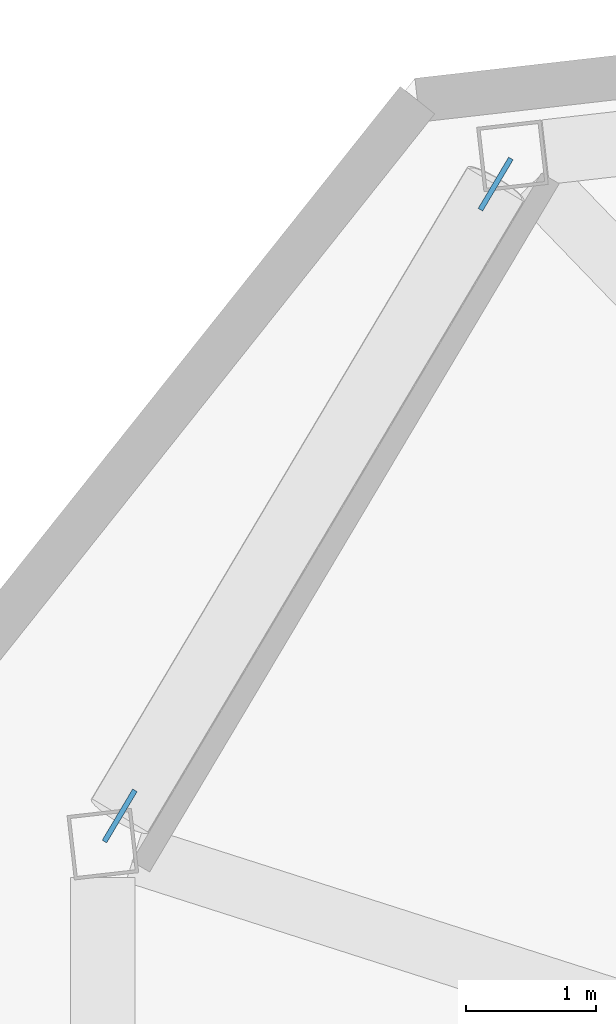
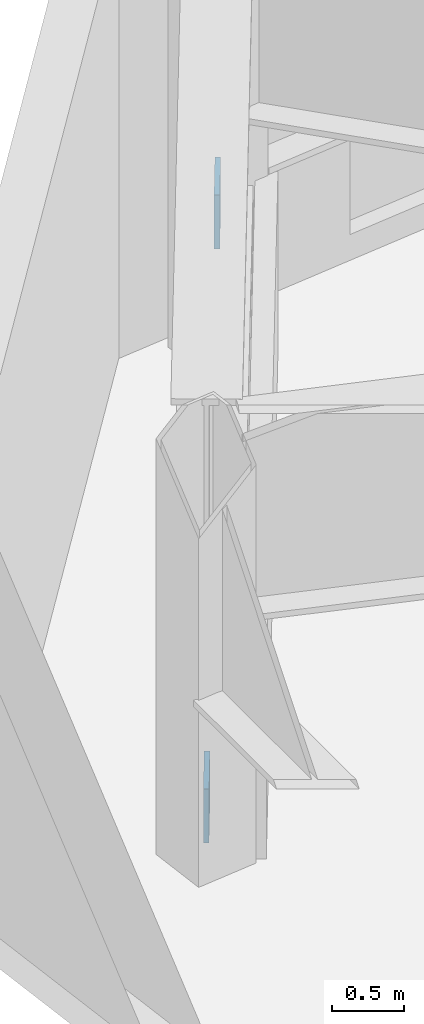
# One storey, part 17 of 20: 2 discrete accessories.
"""IFC4 building model written with IfcOpenShell, lengths in metres."""

from ifc_helpers import new_model, si_unit, direction, frame, origin, origin_2d, place, context, subcontext, project, spatial, rectangle, extrude, material, type_object, element, save


model = new_model("IFC4")

# Units and contexts
model_context = context("Model", 3, precision=1e-05, world=origin(), true_north=direction((0.0, 1.0)))
body_context = subcontext(model_context, "Body", "Model", "MODEL_VIEW")
ifc_project = project(units=[si_unit("LENGTHUNIT", "METRE"), si_unit("AREAUNIT", "SQUARE_METRE"), si_unit("VOLUMEUNIT", "CUBIC_METRE"), si_unit("PLANEANGLEUNIT", "RADIAN"), si_unit("MASSUNIT", "GRAM", prefix="KILO")], contexts=[model_context])

# Site, building, storey
site_placement = place(None, origin())
site = spatial("IfcSite", under=ifc_project, at=site_placement, CompositionType="ELEMENT")
building_placement = place(site_placement, origin())
building = spatial("IfcBuilding", under=site, at=building_placement, Name="Tavrogorsk Clinical Tower", CompositionType="ELEMENT")
storey_placement = place(building_placement, frame((0.0, 0.0, 214.199951171875)))
storey = spatial("IfcBuildingStorey", under=building, at=storey_placement, Name="L49", CompositionType="ELEMENT", Elevation=214.199951171875)

# Discrete accessories
ifc_material = material(Name="Structural steel S440", Category="steel")
discrete_accessory_type = type_object("IfcDiscreteAccessoryType", Name="GussetPlateBracket_25", PredefinedType="BRACKET", material=ifc_material)
for number, where, z_axis, x_axis, name in (
    (1, (-36.34033203125, 17.250732421875, 0.118896484375), (0.0, 0.0, 1.0), (0.511443073004, 0.859317160934, 0.0), "L49 Brace Gusset Plate EXOCRN-L49-3-A"),
    (2, (-33.438232421875, 22.127685546875, 1.211181640625), (0.0, 0.0, 1.0), (0.511443073004, 0.859317160934, 0.0), "L49 Brace Gusset Plate EXOCRN-L49-3-B"),
):
    element("IfcDiscreteAccessory", number, at=place(storey_placement, frame(where, z_axis=z_axis, x_axis=x_axis)), inside=storey, type_object=discrete_accessory_type, Name=name, PredefinedType="BRACKET", context=body_context, shape_type="SweptSolid", body=[
        extrude(rectangle(XDim=0.4599609375, YDim=0.0400390625, at=origin_2d()), origin(), (0.0, 0.0, 1.0), 0.4599609375),
    ])

save(model, "model.ifc")
